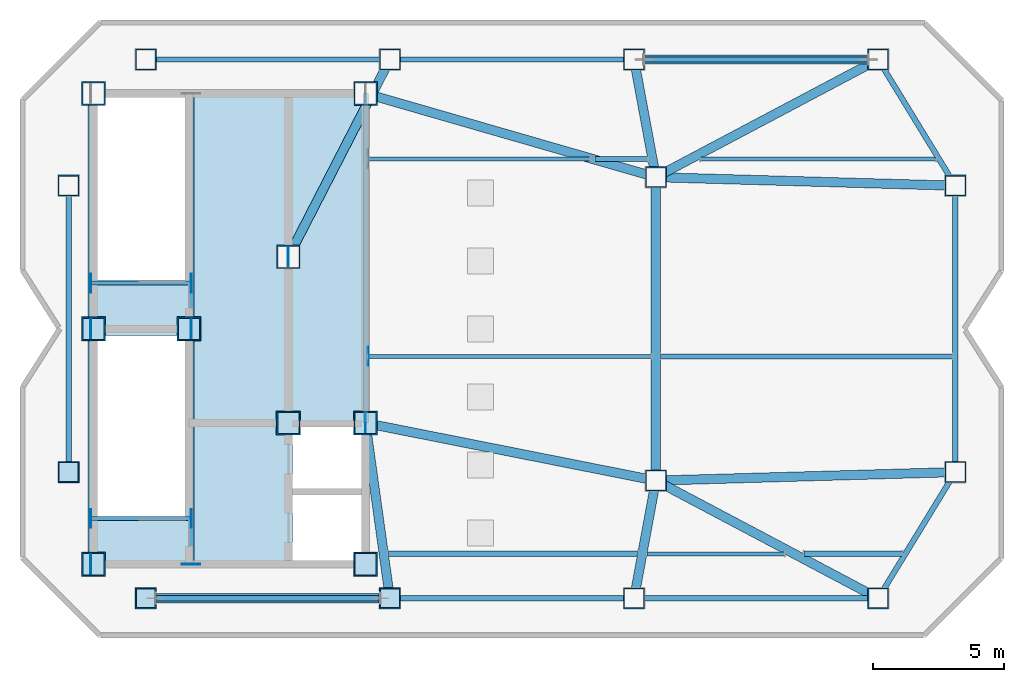
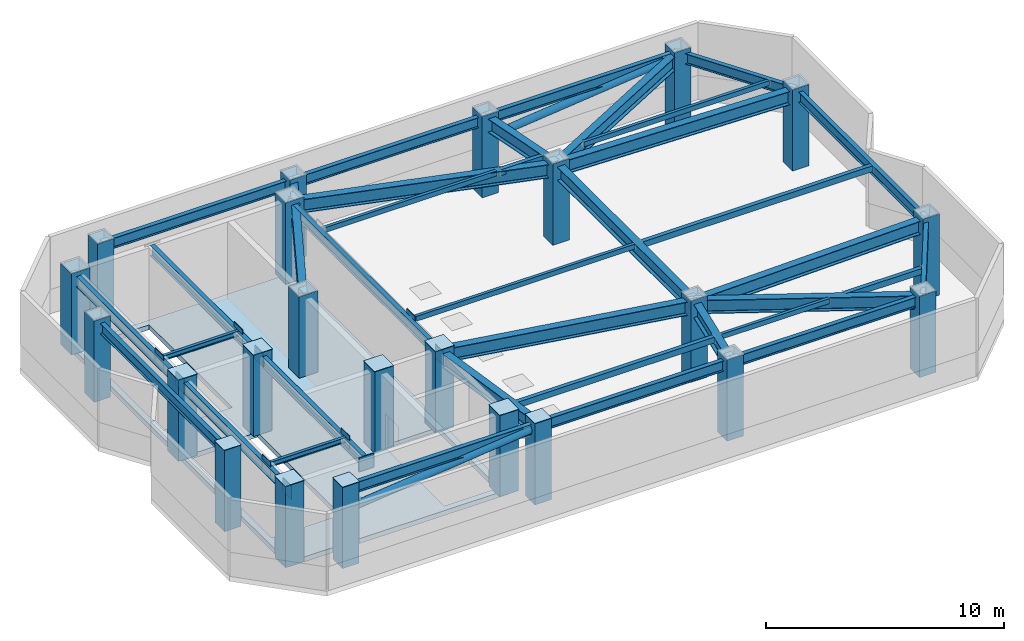
# One storey, part 1 of 7: 28 beams, 23 columns, 20 plates, 10 members, 1 slab.
"""IFC4 building model written with IfcOpenShell, lengths in metres."""

import ifcopenshell
import ifcopenshell.guid

model = None  # the IFC model being written
_history = None  # IfcOwnerHistory: only IFC2X3 demands one
_inside = {}  # id of a spatial element -> (the spatial element, [elements in it])
_under = {}  # id of a project, library or spatial element -> (it, [spatial elements below it])
_declared = {}  # id of a project -> (the project, [libraries it declares])
_typed = {}  # id of a type object -> (the type object, [elements of that type])
_made_of = {}  # id of a material, layer set ... -> (it, [elements and type objects made of it])


def new_model(schema):
    """Start an empty IFC model of exactly this schema.

    Asked for "IFC4X3", IfcOpenShell would pick the latest addendum, in which some entities
    have other attributes; the version numbers below select the first issue.
    IFC2X3 requires an IfcOwnerHistory on every rooted entity: one is made here for all.
    """
    global model, _history
    if schema == "IFC4X3":
        model = ifcopenshell.file(schema_version=(4, 3, 0, 0))
    else:
        model = ifcopenshell.file(schema=schema)
    _inside.clear()
    _under.clear()
    _declared.clear()
    _typed.clear()
    _made_of.clear()
    _history = None
    if model.schema == "IFC2X3":
        org = make("IfcOrganization", Name="unknown")
        user = make(
            "IfcPersonAndOrganization",
            ThePerson=make("IfcPerson", FamilyName="unknown"),
            TheOrganization=org,
        )
        app = make(
            "IfcApplication",
            ApplicationDeveloper=org,
            Version="unknown",
            ApplicationFullName="unknown",
            ApplicationIdentifier="unknown",
        )
        _history = make(
            "IfcOwnerHistory",
            OwningUser=user,
            OwningApplication=app,
            ChangeAction="ADDED",
            CreationDate=0,
        )
    return model


def make(cls, **values):
    """One entity of the class cls with the attributes given. An attribute that is None is left unset."""
    return model.create_entity(
        cls, **{name: value for name, value in values.items() if value is not None}
    )


def rooted(cls, **values):
    """An entity with a GlobalId (a new one), such as an element, a storey or a relation."""
    return make(cls, GlobalId=ifcopenshell.guid.new(), OwnerHistory=_history, **values)


def si_unit(unit_type, name, prefix=None):
    """IfcSIUnit, for example si_unit("LENGTHUNIT", "METRE", prefix="MILLI")."""
    return make("IfcSIUnit", UnitType=unit_type, Prefix=prefix, Name=name)


def assignment(units):
    """IfcUnitAssignment: the units of a project."""
    return None if units is None else make("IfcUnitAssignment", Units=units)


def point(xyz):
    """IfcCartesianPoint."""
    return None if xyz is None else make("IfcCartesianPoint", Coordinates=xyz)


def direction(xyz):
    """IfcDirection."""
    return None if xyz is None else make("IfcDirection", DirectionRatios=xyz)


def frame(location, z_axis=None, x_axis=None):
    """IfcAxis2Placement3D, a coordinate frame: its origin and axes. An axis left out is left unset."""
    return make(
        "IfcAxis2Placement3D",
        Location=point(location),
        Axis=direction(z_axis),
        RefDirection=direction(x_axis),
    )


def frame_2d(location, x_axis=None):
    """IfcAxis2Placement2D, a coordinate frame in the plane: its origin and x axis."""
    return make(
        "IfcAxis2Placement2D", Location=point(location), RefDirection=direction(x_axis)
    )


def origin():
    """The frame at (0, 0, 0) with its axes left unset."""
    return frame((0.0, 0.0, 0.0))


def origin_2d():
    """The frame at (0, 0) in the plane with its x axis left unset."""
    return frame_2d((0.0, 0.0))


def place(relative_to, where):
    """IfcLocalPlacement: puts the frame where relative to a parent placement (None: the world)."""
    return make(
        "IfcLocalPlacement", PlacementRelTo=relative_to, RelativePlacement=where
    )


def context(
    kind, dimensions, precision=None, world=None, true_north=None, identifier=None
):
    """IfcGeometricRepresentationContext, for example the 3D "Model" context."""
    return make(
        "IfcGeometricRepresentationContext",
        ContextIdentifier=identifier,
        ContextType=kind,
        CoordinateSpaceDimension=dimensions,
        Precision=precision,
        WorldCoordinateSystem=world,
        TrueNorth=true_north,
    )


def subcontext(parent, identifier, kind, view, scale=None):
    """IfcGeometricRepresentationSubContext, for example "Body" below "Model"."""
    return make(
        "IfcGeometricRepresentationSubContext",
        ContextIdentifier=identifier,
        ContextType=kind,
        ParentContext=parent,
        TargetScale=scale,
        TargetView=view,
    )


def project(units=None, contexts=None):
    """IfcProject with its units and contexts."""
    return rooted(
        "IfcProject",
        Name="project",
        RepresentationContexts=contexts,
        UnitsInContext=assignment(units),
    )


def spatial(cls, under=None, at=None, **own):
    """A site, building, storey or space (cls), placed at a placement, below another one or the project."""
    s = rooted(cls, ObjectPlacement=at, **own)
    if under is not None:
        _under.setdefault(under.id(), (under, []))[1].append(s)
    return s


def polyline(points):
    """IfcPolyline through the points."""
    return make("IfcPolyline", Points=[point(p) for p in points])


def profile(cls, at=None, kind="AREA", **sizes):
    """A parametric profile (cls). Its sizes go by their IFC names, for example OverallWidth=200.0."""
    return make(cls, ProfileType=kind, Position=at, **sizes)


def rectangle(**sizes):
    """IfcRectangleProfileDef."""
    return profile("IfcRectangleProfileDef", **sizes)


def hollow_rectangle(**sizes):
    """IfcRectangleHollowProfileDef."""
    return profile("IfcRectangleHollowProfileDef", **sizes)


def hollow_circle(**sizes):
    """IfcCircleHollowProfileDef."""
    return profile("IfcCircleHollowProfileDef", **sizes)


def i_section(**sizes):
    """IfcIShapeProfileDef."""
    return profile("IfcIShapeProfileDef", **sizes)


def outline(outer, holes=None, kind="AREA"):
    """IfcArbitraryClosedProfileDef: a profile drawn as a closed curve; with holes, ...WithVoids."""
    if holes is None:
        return make("IfcArbitraryClosedProfileDef", ProfileType=kind, OuterCurve=outer)
    return make(
        "IfcArbitraryProfileDefWithVoids",
        ProfileType=kind,
        OuterCurve=outer,
        InnerCurves=holes,
    )


def extrude(swept, where, along, depth):
    """IfcExtrudedAreaSolid: the profile swept, set in the frame where, extruded along a direction by depth."""
    return make(
        "IfcExtrudedAreaSolid",
        SweptArea=swept,
        Position=where,
        ExtrudedDirection=direction(along),
        Depth=depth,
    )


def shape(context_of_items, identifier, shape_type, items):
    """IfcShapeRepresentation: the items that make up one representation, for example the "Body"."""
    return make(
        "IfcShapeRepresentation",
        ContextOfItems=context_of_items,
        RepresentationIdentifier=identifier,
        RepresentationType=shape_type,
        Items=items,
    )


def material(Name=None, Category=None):
    """IfcMaterial."""
    return make("IfcMaterial", Name=Name, Category=Category)


def layer(
    of_material, thickness, ventilated=None, Name=None, Category=None, Priority=None
):
    """IfcMaterialLayer: one layer of a wall or slab, of a material (None: an air gap)."""
    return make(
        "IfcMaterialLayer",
        Material=of_material,
        LayerThickness=thickness,
        IsVentilated=ventilated,
        Name=Name,
        Category=Category,
        Priority=Priority,
    )


def layer_set(layers, Name=None):
    """IfcMaterialLayerSet."""
    return make("IfcMaterialLayerSet", MaterialLayers=layers, LayerSetName=Name)


def material_profile(
    of_material, cross_section, Name=None, Category=None, Priority=None
):
    """IfcMaterialProfile: a cross section and its material."""
    return make(
        "IfcMaterialProfile",
        Name=Name,
        Material=of_material,
        Profile=cross_section,
        Priority=Priority,
        Category=Category,
    )


def profile_set(profiles, Name=None, composite=None):
    """IfcMaterialProfileSet."""
    return make(
        "IfcMaterialProfileSet",
        Name=Name,
        MaterialProfiles=profiles,
        CompositeProfile=composite,
    )


def made_of(thing, what):
    """Note that an element or type object is made of a material, layer set ...; save() writes the relation."""
    if what is not None:
        _made_of.setdefault(what.id(), (what, []))[1].append(thing)
    return thing


def type_object(cls, material=None, **own):
    """A type object (cls), such as IfcWallType, which elements share."""
    return made_of(rooted(cls, **own), material)


def element(
    cls,
    number,
    at=None,
    inside=None,
    cuts=None,
    type_object=None,
    material=None,
    context=None,
    identifier="Body",
    shape_type=None,
    held_by="IfcProductDefinitionShape",
    body=None,
    shapes=None,
    **own,
):
    """One element of the class cls, such as IfcWall. Its Tag is "e" and its number.

    at: its placement. inside: the storey or other place that contains it. cuts: it is an
    opening in that element (IfcRelVoidsElement). A single representation is given by context,
    identifier, shape_type and body (its items); several are given by shapes. held_by: the class
    of the entity that holds the representations. save() writes the other relations.
    """
    e = rooted(cls, Tag="e%d" % number, ObjectPlacement=at, **own)
    if body is not None:
        shapes = [shape(context, identifier, shape_type, body)]
    if shapes is not None:
        e.Representation = make(held_by, Representations=shapes)
    if inside is not None:
        _inside.setdefault(inside.id(), (inside, []))[1].append(e)
    if cuts is not None:
        rooted(
            "IfcRelVoidsElement", RelatingBuildingElement=cuts, RelatedOpeningElement=e
        )
    if type_object is not None:
        _typed.setdefault(type_object.id(), (type_object, []))[1].append(e)
    return made_of(e, material)


def aggregate(whole, parts):
    """IfcRelAggregates: a whole, such as a stair, and the parts it consists of."""
    return rooted("IfcRelAggregates", RelatingObject=whole, RelatedObjects=parts)


def save(model, path):
    """Write the relations noted so far, then the file.

    IfcRelAggregates (storeys below a building ...), IfcRelContainedInSpatialStructure (elements
    in a storey), IfcRelDefinesByType, IfcRelAssociatesMaterial and IfcRelDeclares: one each for
    every whole, place, type object, material and project.
    """
    for whole, parts in _under.values():
        aggregate(whole, parts)
    for where, things in _inside.values():
        rooted(
            "IfcRelContainedInSpatialStructure",
            RelatedElements=things,
            RelatingStructure=where,
        )
    for kind, things in _typed.values():
        rooted("IfcRelDefinesByType", RelatedObjects=things, RelatingType=kind)
    for what, things in _made_of.values():
        rooted("IfcRelAssociatesMaterial", RelatedObjects=things, RelatingMaterial=what)
    for by, libraries in _declared.values():
        rooted("IfcRelDeclares", RelatingContext=by, RelatedDefinitions=libraries)
    model.write(path)


model = new_model("IFC4")

# Units and contexts
model_context = context("Model", 3, precision=1e-05, world=origin(), true_north=direction((0.0, 1.0)))
body_context = subcontext(model_context, "Body", "Model", "MODEL_VIEW")
ifc_project = project(units=[si_unit("LENGTHUNIT", "METRE"), si_unit("AREAUNIT", "SQUARE_METRE"), si_unit("VOLUMEUNIT", "CUBIC_METRE"), si_unit("PLANEANGLEUNIT", "RADIAN"), si_unit("MASSUNIT", "GRAM", prefix="KILO")], contexts=[model_context])

# Site, building, storey
site_placement = place(None, origin())
site = spatial("IfcSite", under=ifc_project, at=site_placement, CompositionType="ELEMENT")
building_placement = place(site_placement, origin())
building = spatial("IfcBuilding", under=site, at=building_placement, Name="Khamvora Tower", CompositionType="ELEMENT")
storey_placement = place(building_placement, frame((0.0, 0.0, 307.85009765625)))
storey = spatial("IfcBuildingStorey", under=building, at=storey_placement, Name="ROOF", CompositionType="ELEMENT", Elevation=307.85009765625)

# Columns
ifc_material_1 = material(Name="Steel S355", Category="steel")
ifc_material_profile_1 = material_profile(ifc_material_1, hollow_rectangle(XDim=0.800048828125, YDim=0.800048828125, WallThickness=0.0400390625, at=origin_2d()), Name="BOX800x800x40")
ifc_profile_set_1 = profile_set([ifc_material_profile_1], Name="Steel S355")
column_type_1 = type_object("IfcColumnType", Name="COL-BOX800", PredefinedType="COLUMN", material=ifc_profile_set_1)
for number, where, z_axis, x_axis, name in (
    (1, (31.0, 17.699951171875, 0.0), (0.0, 0.0, 1.0), (1.0, 0.0, 0.0), "ROOF structural frame column S1"),
    (2, (40.3330078125, 17.699951171875, 0.0), (0.0, 0.0, 1.0), (1.0, 0.0, 0.0), "ROOF structural frame column S2"),
    (3, (49.6669921875, 17.699951171875, 0.0), (0.0, 0.0, 1.0), (1.0, 0.0, 0.0), "ROOF structural frame column S3"),
    (4, (59.0, 17.699951171875, 0.0), (0.0, 0.0, 1.0), (1.0, 0.0, 0.0), "ROOF structural frame column S4"),
    (5, (31.0, 38.300048828125, 0.0), (0.0, 0.0, 1.0), (1.0, 0.0, 0.0), "ROOF structural frame column N1"),
    (6, (40.3330078125, 38.300048828125, 0.0), (0.0, 0.0, 1.0), (1.0, 0.0, 0.0), "ROOF structural frame column N2"),
    (7, (49.6669921875, 38.300048828125, 0.0), (0.0, 0.0, 1.0), (1.0, 0.0, 0.0), "ROOF structural frame column N3"),
    (8, (59.0, 38.300048828125, 0.0), (0.0, 0.0, 1.0), (1.0, 0.0, 0.0), "ROOF structural frame column N4"),
    (9, (28.050048828125, 22.52490234375, 0.0), (0.0, 0.0, 1.0), (1.0, 0.0, 0.0), "ROOF structural frame column W1"),
    (10, (28.050048828125, 33.47509765625, 0.0), (0.0, 0.0, 1.0), (1.0, 0.0, 0.0), "ROOF structural frame column W2"),
    (11, (61.949951171875, 22.52490234375, 0.0), (0.0, 0.0, 1.0), (1.0, 0.0, 0.0), "ROOF structural frame column E1"),
    (12, (61.949951171875, 33.47509765625, 0.0), (0.0, 0.0, 1.0), (1.0, 0.0, 0.0), "ROOF structural frame column E2"),
    (13, (50.5, 22.199951171875, 0.0), (0.0, 0.0, 1.0), (1.0, 0.0, 0.0), "ROOF structural frame column M1"),
    (14, (50.5, 33.800048828125, 0.0), (0.0, 0.0, 1.0), (1.0, 0.0, 0.0), "ROOF structural frame column M2"),
):
    element("IfcColumn", number, at=place(storey_placement, frame(where, z_axis=z_axis, x_axis=x_axis)), inside=storey, type_object=column_type_1, Name=name, PredefinedType="COLUMN", context=body_context, shape_type="SweptSolid", body=[
        extrude(hollow_rectangle(XDim=0.800048828125, YDim=0.800048828125, WallThickness=0.0400390625, at=origin_2d()), origin(), (0.0, 0.0, 1.0), 4.1748046875),
    ])
ifc_material_2 = material(Name="Structural Steel S460ML", Category="steel")
ifc_material_profile_2 = material_profile(ifc_material_2, hollow_rectangle(XDim=0.89990234375, YDim=0.89990234375, WallThickness=0.044921875, at=origin_2d()), Name="BOX900x900x45")
ifc_profile_set_2 = profile_set([ifc_material_profile_2], Name="Structural Steel S460ML")
column_type_2 = type_object("IfcColumnType", Name="COL-SC-BOX900", PredefinedType="COLUMN", material=ifc_profile_set_2)
for number, where, z_axis, x_axis, name in (
    (15, (29.0, 19.0, 0.0), (0.0, 0.0, 1.0), (1.0, 0.0, 0.0), "ROOF plumb core spine column SC1"),
    (16, (32.64990234375, 28.0, 0.0), (0.0, 0.0, 1.0), (1.0, 0.0, 0.0), "ROOF plumb core spine column SC2"),
    (17, (39.39990234375, 19.0, 0.0), (0.0, 0.0, 1.0), (1.0, 0.0, 0.0), "ROOF plumb core spine column SC3"),
    (18, (29.0, 28.0, 0.0), (0.0, 0.0, 1.0), (1.0, 0.0, 0.0), "ROOF plumb core spine column SC4"),
    (19, (36.449951171875, 24.39990234375, 0.0), (0.0, 0.0, 1.0), (1.0, 0.0, 0.0), "ROOF plumb core spine column SC5"),
    (20, (39.39990234375, 24.39990234375, 0.0), (0.0, 0.0, 1.0), (1.0, 0.0, 0.0), "ROOF plumb core spine column SC6"),
    (21, (29.0, 37.0, 0.0), (0.0, 0.0, 1.0), (1.0, 0.0, 0.0), "ROOF plumb core spine column SC7"),
    (22, (36.449951171875, 30.75, 0.0), (0.0, 0.0, 1.0), (1.0, 0.0, 0.0), "ROOF plumb core spine column SC8"),
    (23, (39.39990234375, 37.0, 0.0), (0.0, 0.0, 1.0), (1.0, 0.0, 0.0), "ROOF plumb core spine column SC9"),
):
    element("IfcColumn", number, at=place(storey_placement, frame(where, z_axis=z_axis, x_axis=x_axis)), inside=storey, type_object=column_type_2, Name=name, PredefinedType="COLUMN", context=body_context, shape_type="SweptSolid", body=[
        extrude(hollow_rectangle(XDim=0.89990234375, YDim=0.89990234375, WallThickness=0.044921875, at=origin_2d()), origin(), (0.0, 0.0, 1.0), 4.1748046875),
    ])

# Beams
ifc_material_profile_3 = material_profile(ifc_material_1, i_section(OverallWidth=0.14697265625, OverallDepth=0.261962890625, WebThickness=0.007080078125, FlangeThickness=0.010986328125, FilletRadius=0.008056640625, at=origin_2d()), Name="W250x39")
ifc_profile_set_3 = profile_set([ifc_material_profile_3], Name="Steel S355")
beam_type_1 = type_object("IfcBeamType", Name="BM-LN-W250x39", PredefinedType="LINTEL", material=ifc_profile_set_3)
for number, where, z_axis, x_axis, name in (
    (24, (28.89990234375, 20.75, 3.823974609375), (1.0, 0.0, 0.0), (0.0, 1.0, 0.0), "ROOF exit stair ST-01 landing trimmer beam"),
    (25, (28.89990234375, 29.75, 3.823974609375), (1.0, 0.0, 0.0), (0.0, 1.0, 0.0), "ROOF exit stair ST-02 landing trimmer beam"),
):
    element("IfcBeam", number, at=place(storey_placement, frame(where, z_axis=z_axis, x_axis=x_axis)), inside=storey, type_object=beam_type_1, Name=name, PredefinedType="LINTEL", context=body_context, shape_type="SweptSolid", body=[
        extrude(i_section(OverallWidth=0.14697265625, OverallDepth=0.261962890625, WebThickness=0.007080078125, FlangeThickness=0.010986328125, FilletRadius=0.008056640625, at=origin_2d()), origin(), (0.0, 0.0, 1.0), 3.830078125),
    ])
ifc_material_profile_4 = material_profile(ifc_material_1, i_section(OverallWidth=0.35498046875, OverallDepth=0.695068359375, WebThickness=0.014892578125, FlangeThickness=0.02490234375, FilletRadius=0.01611328125, at=origin_2d()), Name="W690x217")
ifc_profile_set_4 = profile_set([ifc_material_profile_4], Name="Steel S355")
beam_type_2 = type_object("IfcBeamType", Name="BM-PG-W690x217", PredefinedType="BEAM", material=ifc_profile_set_4)
beam_1_placement = place(storey_placement, frame((50.5, 22.199951171875, 3.601806640625), z_axis=(0.0, 1.0, 0.0), x_axis=(-1.0, 0.0, 0.0)))
element("IfcBeam", 26, at=beam_1_placement, inside=storey, type_object=beam_type_2, Name="ROOF longitudinal frame girder M1-M2", PredefinedType="BEAM", context=body_context, shape_type="SweptSolid", body=[
    extrude(i_section(OverallWidth=0.35498046875, OverallDepth=0.695068359375, WebThickness=0.014892578125, FlangeThickness=0.02490234375, FilletRadius=0.01611328125, at=origin_2d()), origin(), (0.0, 0.0, 1.0), 11.60009765625),
])
beam_2_placement = place(storey_placement, frame((39.39990234375, 24.39990234375, 3.601806640625), z_axis=(0.1379391601, -0.990440703985, 0.0), x_axis=(0.990440703985, 0.1379391601, 0.0)))
element("IfcBeam", 27, at=beam_2_placement, inside=storey, type_object=beam_type_2, Name="ROOF primary floor girder S2", PredefinedType="BEAM", context=body_context, shape_type="SweptSolid", body=[
    extrude(i_section(OverallWidth=0.35498046875, OverallDepth=0.695068359375, WebThickness=0.014892578125, FlangeThickness=0.02490234375, FilletRadius=0.01611328125, at=origin_2d()), origin(), (0.0, 0.0, 1.0), 6.7646484375),
])
beam_3_placement = place(storey_placement, frame((50.5, 22.199951171875, 3.601806640625), z_axis=(-0.182020488605, -0.983294737974, 0.0), x_axis=(0.983294737974, -0.182020488605, 0.0)))
element("IfcBeam", 28, at=beam_3_placement, inside=storey, type_object=beam_type_2, Name="ROOF primary floor girder S3", PredefinedType="BEAM", context=body_context, shape_type="SweptSolid", body=[
    extrude(i_section(OverallWidth=0.35498046875, OverallDepth=0.695068359375, WebThickness=0.014892578125, FlangeThickness=0.02490234375, FilletRadius=0.01611328125, at=origin_2d()), origin(), (0.0, 0.0, 1.0), 4.576416015625),
])
beam_4_placement = place(storey_placement, frame((50.5, 22.199951171875, 3.601806640625), z_axis=(0.883787916347, -0.467887720419, 0.0), x_axis=(0.467887720419, 0.883787916347, 0.0)))
element("IfcBeam", 29, at=beam_4_placement, inside=storey, type_object=beam_type_2, Name="ROOF primary floor girder S4", PredefinedType="BEAM", context=body_context, shape_type="SweptSolid", body=[
    extrude(i_section(OverallWidth=0.35498046875, OverallDepth=0.695068359375, WebThickness=0.014892578125, FlangeThickness=0.02490234375, FilletRadius=0.01611328125, at=origin_2d()), origin(), (0.0, 0.0, 1.0), 9.61767578125),
])
beam_5_placement = place(storey_placement, frame((36.449951171875, 30.75, 3.601806640625), z_axis=(0.457364256253, 0.889279448263, 0.0), x_axis=(-0.889279448263, 0.457364256253, 0.0)))
element("IfcBeam", 30, at=beam_5_placement, inside=storey, type_object=beam_type_2, Name="ROOF primary floor girder N2", PredefinedType="BEAM", context=body_context, shape_type="SweptSolid", body=[
    extrude(i_section(OverallWidth=0.35498046875, OverallDepth=0.695068359375, WebThickness=0.014892578125, FlangeThickness=0.02490234375, FilletRadius=0.01611328125, at=origin_2d()), origin(), (0.0, 0.0, 1.0), 8.489990234375),
])
beam_6_placement = place(storey_placement, frame((50.5, 33.800048828125, 3.601806640625), z_axis=(-0.182020488605, 0.983294737974, 0.0), x_axis=(-0.983294737974, -0.182020488605, 0.0)))
element("IfcBeam", 31, at=beam_6_placement, inside=storey, type_object=beam_type_2, Name="ROOF primary floor girder N3", PredefinedType="BEAM", context=body_context, shape_type="SweptSolid", body=[
    extrude(i_section(OverallWidth=0.35498046875, OverallDepth=0.695068359375, WebThickness=0.014892578125, FlangeThickness=0.02490234375, FilletRadius=0.01611328125, at=origin_2d()), origin(), (0.0, 0.0, 1.0), 4.576416015625),
])
beam_7_placement = place(storey_placement, frame((50.5, 33.800048828125, 3.601806640625), z_axis=(0.883787916347, 0.467887720419, 0.0), x_axis=(-0.467887720419, 0.883787916347, 0.0)))
element("IfcBeam", 32, at=beam_7_placement, inside=storey, type_object=beam_type_2, Name="ROOF primary floor girder N4", PredefinedType="BEAM", context=body_context, shape_type="SweptSolid", body=[
    extrude(i_section(OverallWidth=0.35498046875, OverallDepth=0.695068359375, WebThickness=0.014892578125, FlangeThickness=0.02490234375, FilletRadius=0.01611328125, at=origin_2d()), origin(), (0.0, 0.0, 1.0), 9.61767578125),
])
for number, where, z_axis, x_axis, name in (
    (33, (50.5, 22.199951171875, 3.601806640625), (0.999597527046, 0.0283687138, 0.0), (-0.0283687138, 0.999597527046, 0.0), "ROOF primary floor girder E1"),
    (34, (50.5, 33.800048828125, 3.601806640625), (0.999597527046, -0.0283687138, 0.0), (0.0283687138, 0.999597527046, 0.0), "ROOF primary floor girder E2"),
):
    element("IfcBeam", number, at=place(storey_placement, frame(where, z_axis=z_axis, x_axis=x_axis)), inside=storey, type_object=beam_type_2, Name=name, PredefinedType="BEAM", context=body_context, shape_type="SweptSolid", body=[
        extrude(i_section(OverallWidth=0.35498046875, OverallDepth=0.695068359375, WebThickness=0.014892578125, FlangeThickness=0.02490234375, FilletRadius=0.01611328125, at=origin_2d()), origin(), (0.0, 0.0, 1.0), 11.45458984375),
    ])
beam_8_placement = place(storey_placement, frame((39.39990234375, 24.39990234375, 3.601806640625), z_axis=(0.980920240909, -0.194410598927, 0.0), x_axis=(0.194410598927, 0.980920240909, 0.0)))
element("IfcBeam", 35, at=beam_8_placement, inside=storey, type_object=beam_type_2, Name="ROOF primary floor girder M1", PredefinedType="BEAM", context=body_context, shape_type="SweptSolid", body=[
    extrude(i_section(OverallWidth=0.35498046875, OverallDepth=0.695068359375, WebThickness=0.014892578125, FlangeThickness=0.02490234375, FilletRadius=0.01611328125, at=origin_2d()), origin(), (0.0, 0.0, 1.0), 11.31591796875),
])
beam_9_placement = place(storey_placement, frame((39.39990234375, 37.0, 3.601806640625), z_axis=(0.960869684076, -0.277000812677, 0.0), x_axis=(0.277000812677, 0.960869684076, 0.0)))
element("IfcBeam", 36, at=beam_9_placement, inside=storey, type_object=beam_type_2, Name="ROOF primary floor girder M2", PredefinedType="BEAM", context=body_context, shape_type="SweptSolid", body=[
    extrude(i_section(OverallWidth=0.35498046875, OverallDepth=0.695068359375, WebThickness=0.014892578125, FlangeThickness=0.02490234375, FilletRadius=0.01611328125, at=origin_2d()), origin(), (0.0, 0.0, 1.0), 11.55224609375),
])
ifc_material_profile_5 = material_profile(ifc_material_1, i_section(OverallWidth=0.208984375, OverallDepth=0.532958984375, WebThickness=0.010009765625, FlangeThickness=0.01611328125, FilletRadius=0.013916015625, at=origin_2d()), Name="W530x92")
ifc_profile_set_5 = profile_set([ifc_material_profile_5], Name="Steel S355")
beam_type_3 = type_object("IfcBeamType", Name="BM-SP-W530x92", PredefinedType="SPANDREL", material=ifc_profile_set_5)
beam_10_placement = place(storey_placement, frame((31.0, 17.699951171875, 3.683837890625), z_axis=(1.0, 0.0, 0.0), x_axis=(0.0, 1.0, 0.0)))
element("IfcBeam", 37, at=beam_10_placement, inside=storey, type_object=beam_type_3, Name="ROOF perimeter spandrel beam S1-S2", PredefinedType="SPANDREL", context=body_context, shape_type="SweptSolid", body=[
    extrude(i_section(OverallWidth=0.208984375, OverallDepth=0.532958984375, WebThickness=0.010009765625, FlangeThickness=0.01611328125, FilletRadius=0.013916015625, at=origin_2d()), origin(), (0.0, 0.0, 1.0), 9.3330078125),
])
beam_11_placement = place(storey_placement, frame((40.3330078125, 17.699951171875, 3.683837890625), z_axis=(1.0, 0.0, 0.0), x_axis=(0.0, 1.0, 0.0)))
element("IfcBeam", 38, at=beam_11_placement, inside=storey, type_object=beam_type_3, Name="ROOF perimeter spandrel beam S2-S3", PredefinedType="SPANDREL", context=body_context, shape_type="SweptSolid", body=[
    extrude(i_section(OverallWidth=0.208984375, OverallDepth=0.532958984375, WebThickness=0.010009765625, FlangeThickness=0.01611328125, FilletRadius=0.013916015625, at=origin_2d()), origin(), (0.0, 0.0, 1.0), 9.333984375),
])
beam_12_placement = place(storey_placement, frame((49.6669921875, 17.699951171875, 3.683837890625), z_axis=(1.0, 0.0, 0.0), x_axis=(0.0, 1.0, 0.0)))
element("IfcBeam", 39, at=beam_12_placement, inside=storey, type_object=beam_type_3, Name="ROOF perimeter spandrel beam S3-S4", PredefinedType="SPANDREL", context=body_context, shape_type="SweptSolid", body=[
    extrude(i_section(OverallWidth=0.208984375, OverallDepth=0.532958984375, WebThickness=0.010009765625, FlangeThickness=0.01611328125, FilletRadius=0.013916015625, at=origin_2d()), origin(), (0.0, 0.0, 1.0), 9.3330078125),
])
beam_13_placement = place(storey_placement, frame((59.0, 17.699951171875, 3.683837890625), z_axis=(0.521626365843, 0.853174035269, 0.0), x_axis=(-0.853174035269, 0.521626365843, 0.0)))
element("IfcBeam", 40, at=beam_13_placement, inside=storey, type_object=beam_type_3, Name="ROOF perimeter spandrel beam S4-E1", PredefinedType="SPANDREL", context=body_context, shape_type="SweptSolid", body=[
    extrude(i_section(OverallWidth=0.208984375, OverallDepth=0.532958984375, WebThickness=0.010009765625, FlangeThickness=0.01611328125, FilletRadius=0.013916015625, at=origin_2d()), origin(), (0.0, 0.0, 1.0), 5.6552734375),
])
beam_14_placement = place(storey_placement, frame((61.949951171875, 22.52490234375, 3.683837890625), z_axis=(0.0, 1.0, 0.0), x_axis=(-1.0, 0.0, 0.0)))
element("IfcBeam", 41, at=beam_14_placement, inside=storey, type_object=beam_type_3, Name="ROOF perimeter spandrel beam E1-E2", PredefinedType="SPANDREL", context=body_context, shape_type="SweptSolid", body=[
    extrude(i_section(OverallWidth=0.208984375, OverallDepth=0.532958984375, WebThickness=0.010009765625, FlangeThickness=0.01611328125, FilletRadius=0.013916015625, at=origin_2d()), origin(), (0.0, 0.0, 1.0), 10.9501953125),
])
beam_15_placement = place(storey_placement, frame((61.949951171875, 33.47509765625, 3.683837890625), z_axis=(-0.521626365843, 0.853174035269, 0.0), x_axis=(-0.853174035269, -0.521626365843, 0.0)))
element("IfcBeam", 42, at=beam_15_placement, inside=storey, type_object=beam_type_3, Name="ROOF perimeter spandrel beam E2-N4", PredefinedType="SPANDREL", context=body_context, shape_type="SweptSolid", body=[
    extrude(i_section(OverallWidth=0.208984375, OverallDepth=0.532958984375, WebThickness=0.010009765625, FlangeThickness=0.01611328125, FilletRadius=0.013916015625, at=origin_2d()), origin(), (0.0, 0.0, 1.0), 5.6552734375),
])
beam_16_placement = place(storey_placement, frame((59.0, 38.300048828125, 3.683837890625), z_axis=(-1.0, 0.0, 0.0), x_axis=(0.0, -1.0, 0.0)))
element("IfcBeam", 43, at=beam_16_placement, inside=storey, type_object=beam_type_3, Name="ROOF perimeter spandrel beam N4-N3", PredefinedType="SPANDREL", context=body_context, shape_type="SweptSolid", body=[
    extrude(i_section(OverallWidth=0.208984375, OverallDepth=0.532958984375, WebThickness=0.010009765625, FlangeThickness=0.01611328125, FilletRadius=0.013916015625, at=origin_2d()), origin(), (0.0, 0.0, 1.0), 9.3330078125),
])
beam_17_placement = place(storey_placement, frame((49.6669921875, 38.300048828125, 3.683837890625), z_axis=(-1.0, 0.0, 0.0), x_axis=(0.0, -1.0, 0.0)))
element("IfcBeam", 44, at=beam_17_placement, inside=storey, type_object=beam_type_3, Name="ROOF perimeter spandrel beam N3-N2", PredefinedType="SPANDREL", context=body_context, shape_type="SweptSolid", body=[
    extrude(i_section(OverallWidth=0.208984375, OverallDepth=0.532958984375, WebThickness=0.010009765625, FlangeThickness=0.01611328125, FilletRadius=0.013916015625, at=origin_2d()), origin(), (0.0, 0.0, 1.0), 9.333984375),
])
beam_18_placement = place(storey_placement, frame((40.3330078125, 38.300048828125, 3.683837890625), z_axis=(-1.0, 0.0, 0.0), x_axis=(0.0, -1.0, 0.0)))
element("IfcBeam", 45, at=beam_18_placement, inside=storey, type_object=beam_type_3, Name="ROOF perimeter spandrel beam N2-N1", PredefinedType="SPANDREL", context=body_context, shape_type="SweptSolid", body=[
    extrude(i_section(OverallWidth=0.208984375, OverallDepth=0.532958984375, WebThickness=0.010009765625, FlangeThickness=0.01611328125, FilletRadius=0.013916015625, at=origin_2d()), origin(), (0.0, 0.0, 1.0), 9.3330078125),
])
beam_19_placement = place(storey_placement, frame((28.050048828125, 33.47509765625, 3.683837890625), z_axis=(0.0, -1.0, 0.0), x_axis=(1.0, 0.0, 0.0)))
element("IfcBeam", 46, at=beam_19_placement, inside=storey, type_object=beam_type_3, Name="ROOF perimeter spandrel beam W2-W1", PredefinedType="SPANDREL", context=body_context, shape_type="SweptSolid", body=[
    extrude(i_section(OverallWidth=0.208984375, OverallDepth=0.532958984375, WebThickness=0.010009765625, FlangeThickness=0.01611328125, FilletRadius=0.013916015625, at=origin_2d()), origin(), (0.0, 0.0, 1.0), 10.9501953125),
])
for number, where, z_axis, x_axis, name in (
    (47, (28.89990234375, 19.0, 3.683837890625), (0.0, 1.0, 0.0), (-1.0, 0.0, 0.0), "ROOF core spine girder WS"),
    (48, (28.89990234375, 28.0, 3.683837890625), (0.0, 1.0, 0.0), (-1.0, 0.0, 0.0), "ROOF core spine girder WN"),
    (49, (32.72998046875, 19.0, 3.683837890625), (0.0, 1.0, 0.0), (-1.0, 0.0, 0.0), "ROOF core spine girder M1S"),
    (50, (32.72998046875, 28.0, 3.683837890625), (0.0, 1.0, 0.0), (-1.0, 0.0, 0.0), "ROOF core spine girder M1N"),
):
    element("IfcBeam", number, at=place(storey_placement, frame(where, z_axis=z_axis, x_axis=x_axis)), inside=storey, type_object=beam_type_3, Name=name, PredefinedType="SPANDREL", context=body_context, shape_type="SweptSolid", body=[
        extrude(i_section(OverallWidth=0.208984375, OverallDepth=0.532958984375, WebThickness=0.010009765625, FlangeThickness=0.01611328125, FilletRadius=0.013916015625, at=origin_2d()), origin(), (0.0, 0.0, 1.0), 9.0),
    ])
beam_20_placement = place(storey_placement, frame((39.39990234375, 24.39990234375, 3.683837890625), z_axis=(0.0, 1.0, 0.0), x_axis=(-1.0, 0.0, 0.0)))
element("IfcBeam", 51, at=beam_20_placement, inside=storey, type_object=beam_type_3, Name="ROOF core spine girder EN", PredefinedType="SPANDREL", context=body_context, shape_type="SweptSolid", body=[
    extrude(i_section(OverallWidth=0.208984375, OverallDepth=0.532958984375, WebThickness=0.010009765625, FlangeThickness=0.01611328125, FilletRadius=0.013916015625, at=origin_2d()), origin(), (0.0, 0.0, 1.0), 12.60009765625),
])

# Members
ifc_material_profile_6 = material_profile(ifc_material_1, hollow_circle(Radius=0.177978515625, WallThickness=0.013916015625, at=origin_2d()), Name="CHS356x14")
ifc_profile_set_6 = profile_set([ifc_material_profile_6], Name="Steel S355")
member_type_1 = type_object("IfcMemberType", Name="MEM-BR-CHS356", PredefinedType="BRACE", material=ifc_profile_set_6)
for number, where, z_axis, x_axis, name in (
    (52, (31.3779296875, 17.699951171875, 2.720947265625), (0.994273552701, 0.0, 0.10686487917), (0.0, 1.0, 0.0), "ROOF perimeter wind brace 1"),
    (53, (50.044921875, 38.300048828125, 2.720947265625), (0.994273552701, 0.0, 0.10686487917), (0.0, 1.0, 0.0), "ROOF perimeter wind brace 2"),
):
    element("IfcMember", number, at=place(storey_placement, frame(where, z_axis=z_axis, x_axis=x_axis)), inside=storey, type_object=member_type_1, Name=name, PredefinedType="BRACE", context=body_context, shape_type="SweptSolid", body=[
        extrude(hollow_circle(Radius=0.177978515625, WallThickness=0.013916015625, at=origin_2d()), origin(), (0.0, 0.0, 1.0), 8.62646484375),
    ])
ifc_material_profile_7 = material_profile(ifc_material_1, hollow_rectangle(XDim=0.14990234375, YDim=0.25, WallThickness=0.010009765625, at=origin_2d()), Name="RHS250x150x10")
ifc_profile_set_7 = profile_set([ifc_material_profile_7], Name="Steel S355")
member_type_2 = type_object("IfcMemberType", Name="MEM-PR-RHS250", PredefinedType="PURLIN", material=ifc_profile_set_7)
member_1_placement = place(storey_placement, frame((50.156982421875, 19.39990234375, 3.824951171875), z_axis=(1.0, 0.0, 0.0), x_axis=(0.0, 1.0, 0.0)))
element("IfcMember", 54, at=member_1_placement, inside=storey, type_object=member_type_2, Name="ROOF structural steel purlin 02", PredefinedType="PURLIN", context=body_context, shape_type="SweptSolid", body=[
    extrude(hollow_rectangle(XDim=0.14990234375, YDim=0.25, WallThickness=0.010009765625, at=origin_2d()), origin(), (0.0, 0.0, 1.0), 5.258056640625),
])
member_2_placement = place(storey_placement, frame((39.4990234375, 26.949951171875, 3.824951171875), z_axis=(1.0, 0.0, 0.0), x_axis=(0.0, 1.0, 0.0)))
element("IfcMember", 55, at=member_2_placement, inside=storey, type_object=member_type_2, Name="ROOF structural steel purlin 04", PredefinedType="PURLIN", context=body_context, shape_type="SweptSolid", body=[
    extrude(hollow_rectangle(XDim=0.14990234375, YDim=0.25, WallThickness=0.010009765625, at=origin_2d()), origin(), (0.0, 0.0, 1.0), 10.828857421875),
])
member_3_placement = place(storey_placement, frame((39.4990234375, 34.5, 3.824951171875), z_axis=(1.0, 0.0, 0.0), x_axis=(0.0, 1.0, 0.0)))
element("IfcMember", 56, at=member_3_placement, inside=storey, type_object=member_type_2, Name="ROOF structural steel purlin 06", PredefinedType="PURLIN", context=body_context, shape_type="SweptSolid", body=[
    extrude(hollow_rectangle(XDim=0.14990234375, YDim=0.25, WallThickness=0.010009765625, at=origin_2d()), origin(), (0.0, 0.0, 1.0), 8.47802734375),
])
member_4_placement = place(storey_placement, frame((52.197021484375, 34.5, 3.824951171875), z_axis=(1.0, 0.0, 0.0), x_axis=(0.0, 1.0, 0.0)))
element("IfcMember", 57, at=member_4_placement, inside=storey, type_object=member_type_2, Name="ROOF structural steel purlin 08", PredefinedType="PURLIN", context=body_context, shape_type="SweptSolid", body=[
    extrude(hollow_rectangle(XDim=0.14990234375, YDim=0.25, WallThickness=0.010009765625, at=origin_2d()), origin(), (0.0, 0.0, 1.0), 9.009033203125),
])
ifc_material_profile_8 = material_profile(ifc_material_1, hollow_rectangle(XDim=0.199951171875, YDim=0.300048828125, WallThickness=0.011962890625, at=origin_2d()), Name="RHS300x200x12")
ifc_profile_set_8 = profile_set([ifc_material_profile_8], Name="Steel S355")
member_type_3 = type_object("IfcMemberType", Name="MEM-PR-RHS300", PredefinedType="PURLIN", material=ifc_profile_set_8)
member_5_placement = place(storey_placement, frame((40.27001953125, 19.39990234375, 3.7998046875), z_axis=(1.0, 0.0, 0.0), x_axis=(0.0, 1.0, 0.0)))
element("IfcMember", 58, at=member_5_placement, inside=storey, type_object=member_type_3, Name="ROOF structural steel purlin 01", PredefinedType="PURLIN", context=body_context, shape_type="SweptSolid", body=[
    extrude(hollow_rectangle(XDim=0.199951171875, YDim=0.300048828125, WallThickness=0.011962890625, at=origin_2d()), origin(), (0.0, 0.0, 1.0), 9.535888671875),
])
member_6_placement = place(storey_placement, frame((56.1630859375, 19.39990234375, 3.7998046875), z_axis=(1.0, 0.0, 0.0), x_axis=(0.0, 1.0, 0.0)))
element("IfcMember", 59, at=member_6_placement, inside=storey, type_object=member_type_3, Name="ROOF structural steel purlin 03", PredefinedType="PURLIN", context=body_context, shape_type="SweptSolid", body=[
    extrude(hollow_rectangle(XDim=0.199951171875, YDim=0.300048828125, WallThickness=0.011962890625, at=origin_2d()), origin(), (0.0, 0.0, 1.0), 3.759033203125),
])
member_7_placement = place(storey_placement, frame((50.672119140625, 26.949951171875, 3.7998046875), z_axis=(1.0, 0.0, 0.0), x_axis=(0.0, 1.0, 0.0)))
element("IfcMember", 60, at=member_7_placement, inside=storey, type_object=member_type_3, Name="ROOF structural steel purlin 05", PredefinedType="PURLIN", context=body_context, shape_type="SweptSolid", body=[
    extrude(hollow_rectangle(XDim=0.199951171875, YDim=0.300048828125, WallThickness=0.011962890625, at=origin_2d()), origin(), (0.0, 0.0, 1.0), 11.178955078125),
])
member_8_placement = place(storey_placement, frame((48.1669921875, 34.5, 3.7998046875), z_axis=(1.0, 0.0, 0.0), x_axis=(0.0, 1.0, 0.0)))
element("IfcMember", 61, at=member_8_placement, inside=storey, type_object=member_type_3, Name="ROOF structural steel purlin 07", PredefinedType="PURLIN", context=body_context, shape_type="SweptSolid", body=[
    extrude(hollow_rectangle(XDim=0.199951171875, YDim=0.300048828125, WallThickness=0.011962890625, at=origin_2d()), origin(), (0.0, 0.0, 1.0), 2.028076171875),
])

# Plates
ifc_layer_1 = layer(ifc_material_1, 0.02490234375)
ifc_layer_set_1 = layer_set([ifc_layer_1], Name="Steel S355")
plate_type_1 = type_object("IfcPlateType", Name="PL-CAP-25", PredefinedType="SHEET", material=ifc_layer_set_1)
for number, where, z_axis, x_axis, name in (
    (62, (29.0, 19.0, 4.175537109375), (0.0, 0.0, 1.0), (1.0, 0.0, 0.0), "ROOF hollow section steel end cap plate 0006"),
    (63, (32.64990234375, 28.0, 4.175537109375), (0.0, 0.0, 1.0), (1.0, 0.0, 0.0), "ROOF hollow section steel end cap plate 0012"),
    (64, (39.39990234375, 19.0, 4.175537109375), (0.0, 0.0, 1.0), (1.0, 0.0, 0.0), "ROOF hollow section steel end cap plate 0018"),
    (65, (29.0, 28.0, 4.175537109375), (0.0, 0.0, 1.0), (1.0, 0.0, 0.0), "ROOF hollow section steel end cap plate 0024"),
    (66, (36.449951171875, 24.39990234375, 4.175537109375), (0.0, 0.0, 1.0), (1.0, 0.0, 0.0), "ROOF hollow section steel end cap plate 0030"),
    (67, (39.39990234375, 24.39990234375, 4.175537109375), (0.0, 0.0, 1.0), (1.0, 0.0, 0.0), "ROOF hollow section steel end cap plate 0036"),
):
    element("IfcPlate", number, at=place(storey_placement, frame(where, z_axis=z_axis, x_axis=x_axis)), inside=storey, type_object=plate_type_1, Name=name, PredefinedType="SHEET", context=body_context, shape_type="SweptSolid", body=[
        extrude(rectangle(XDim=0.929931640625, YDim=0.929931640625, at=origin_2d()), origin(), (0.0, 0.0, 1.0), 0.02490234375),
    ])
for number, where, z_axis, x_axis, name in (
    (68, (31.0, 17.699951171875, 4.175537109375), (0.0, 0.0, 1.0), (1.0, 0.0, 0.0), "ROOF hollow section steel end cap plate 0335"),
    (69, (40.330078125, 17.699951171875, 4.175537109375), (0.0, 0.0, 1.0), (1.0, 0.0, 0.0), "ROOF hollow section steel end cap plate 0337"),
    (70, (28.050048828125, 22.52001953125, 4.175537109375), (0.0, 0.0, 1.0), (1.0, 0.0, 0.0), "ROOF hollow section steel end cap plate 0351"),
):
    element("IfcPlate", number, at=place(storey_placement, frame(where, z_axis=z_axis, x_axis=x_axis)), inside=storey, type_object=plate_type_1, Name=name, PredefinedType="SHEET", context=body_context, shape_type="SweptSolid", body=[
        extrude(rectangle(XDim=0.830078125, YDim=0.830078125, at=origin_2d()), origin(), (0.0, 0.0, 1.0), 0.02490234375),
    ])
ifc_material_3 = material(Name="Steel S460", Category="steel")
ifc_layer_2 = layer(ifc_material_3, 0.034912109375)
ifc_layer_set_2 = layer_set([ifc_layer_2], Name="Steel S460")
plate_type_2 = type_object("IfcPlateType", Name="PL-EMB-35", PredefinedType="SHEET", material=ifc_layer_set_2)
for number, where, z_axis, x_axis, name in (
    (71, (39.39990234375, 24.39990234375, 3.24169921875), (0.0, 0.0, 1.0), (1.0, 0.0, 0.0), "ROOF core shear wall cast-in embed plate 2265"),
    (72, (36.449951171875, 30.75, 3.24169921875), (0.0, 0.0, 1.0), (1.0, 0.0, 0.0), "ROOF core shear wall cast-in embed plate 2266"),
    (73, (28.89990234375, 19.0, 3.32373046875), (0.0, 0.0, 1.0), (1.0, 0.0, 0.0), "ROOF core shear wall cast-in embed plate 2268"),
    (74, (28.89990234375, 28.0, 3.32373046875), (0.0, 0.0, 1.0), (1.0, 0.0, 0.0), "ROOF core shear wall cast-in embed plate 2269"),
):
    element("IfcPlate", number, at=place(storey_placement, frame(where, z_axis=z_axis, x_axis=x_axis)), inside=storey, type_object=plate_type_2, Name=name, PredefinedType="SHEET", context=body_context, shape_type="SweptSolid", body=[
        extrude(rectangle(XDim=0.034912109375, YDim=0.719970703125, at=origin_2d()), origin(), (0.0, 0.0, 1.0), 0.719970703125),
    ])
plate_placement = place(storey_placement, frame((32.72998046875, 19.0, 3.32373046875), z_axis=(0.0, 0.0, 1.0), x_axis=(1.0, 0.0, 0.0)))
element("IfcPlate", 75, at=plate_placement, inside=storey, type_object=plate_type_2, Name="ROOF core shear wall cast-in embed plate 2271", PredefinedType="SHEET", context=body_context, shape_type="SweptSolid", body=[
    extrude(rectangle(XDim=0.719970703125, YDim=0.034912109375, at=origin_2d()), origin(), (0.0, 0.0, 1.0), 0.719970703125),
])
for number, where, z_axis, x_axis, name in (
    (76, (32.72998046875, 28.0, 3.32373046875), (0.0, 0.0, 1.0), (1.0, 0.0, 0.0), "ROOF core shear wall cast-in embed plate 2272"),
    (77, (28.89990234375, 20.75, 3.4638671875), (0.0, 0.0, 1.0), (1.0, 0.0, 0.0), "ROOF core shear wall cast-in embed plate 2274"),
    (78, (32.72998046875, 20.75, 3.4638671875), (0.0, 0.0, 1.0), (1.0, 0.0, 0.0), "ROOF core shear wall cast-in embed plate 2275"),
    (79, (28.89990234375, 29.75, 3.4638671875), (0.0, 0.0, 1.0), (1.0, 0.0, 0.0), "ROOF core shear wall cast-in embed plate 2276"),
    (80, (32.72998046875, 29.75, 3.4638671875), (0.0, 0.0, 1.0), (1.0, 0.0, 0.0), "ROOF core shear wall cast-in embed plate 2277"),
    (81, (39.4990234375, 26.949951171875, 3.46484375), (0.0, 0.0, 1.0), (1.0, 0.0, 0.0), "ROOF core shear wall cast-in embed plate 2278"),
):
    element("IfcPlate", number, at=place(storey_placement, frame(where, z_axis=z_axis, x_axis=x_axis)), inside=storey, type_object=plate_type_2, Name=name, PredefinedType="SHEET", context=body_context, shape_type="SweptSolid", body=[
        extrude(rectangle(XDim=0.034912109375, YDim=0.719970703125, at=origin_2d()), origin(), (0.0, 0.0, 1.0), 0.719970703125),
    ])

# Slab
ifc_material_4 = material(Name="Concrete C35/45", Category="concrete")
ifc_layer_3 = layer(ifc_material_4, 0.25)
ifc_layer_set_3 = layer_set([ifc_layer_3], Name="Concrete C35/45")
slab_type = type_object("IfcSlabType", Name="SLB-CRN-250", PredefinedType="FLOOR", material=ifc_layer_set_3)
slab_placement = place(storey_placement, frame((0.0, 0.0, -0.25)))
element("IfcSlab", 82, at=slab_placement, inside=storey, type_object=slab_type, Name="ROOF stair and lift headhouse floor slab", PredefinedType="FLOOR", context=body_context, shape_type="SweptSolid", body=[
    extrude(outline(polyline([(28.85009765625, 18.85009765625), (39.550048828125, 18.85009765625), (39.550048828125, 37.14990234375), (28.85009765625, 37.14990234375), (28.85009765625, 18.85009765625)]), holes=[polyline([(32.5, 20.760009765625), (32.5, 27.75), (29.14990234375, 27.75), (29.14990234375, 20.760009765625), (32.5, 20.760009765625)]), polyline([(32.5, 29.860107421875), (32.5, 36.85009765625), (29.14990234375, 36.85009765625), (29.14990234375, 29.860107421875), (32.5, 29.860107421875)]), polyline([(36.60009765625, 19.14990234375), (39.25, 19.14990234375), (39.25, 21.64990234375), (36.60009765625, 21.64990234375), (36.60009765625, 19.14990234375)]), polyline([(36.60009765625, 21.800048828125), (39.25, 21.800048828125), (39.25, 24.25), (36.60009765625, 24.25), (36.60009765625, 21.800048828125)])]), origin(), (0.0, 0.0, 1.0), 0.25),
])

save(model, "model.ifc")
